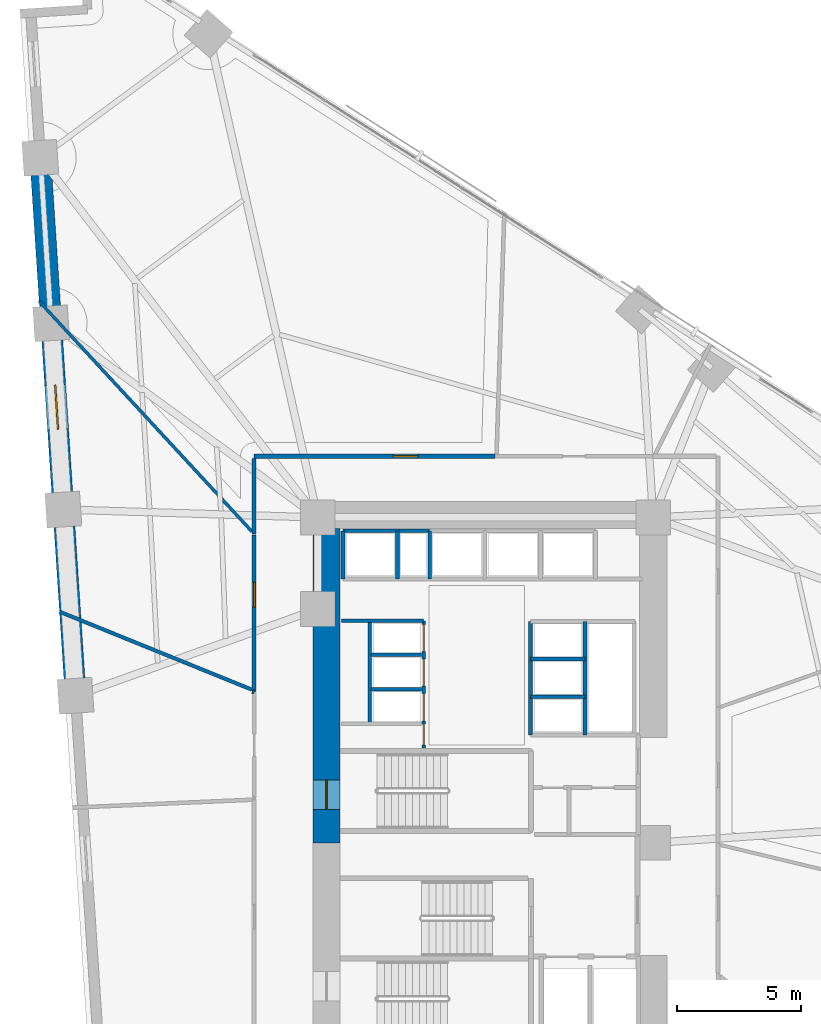
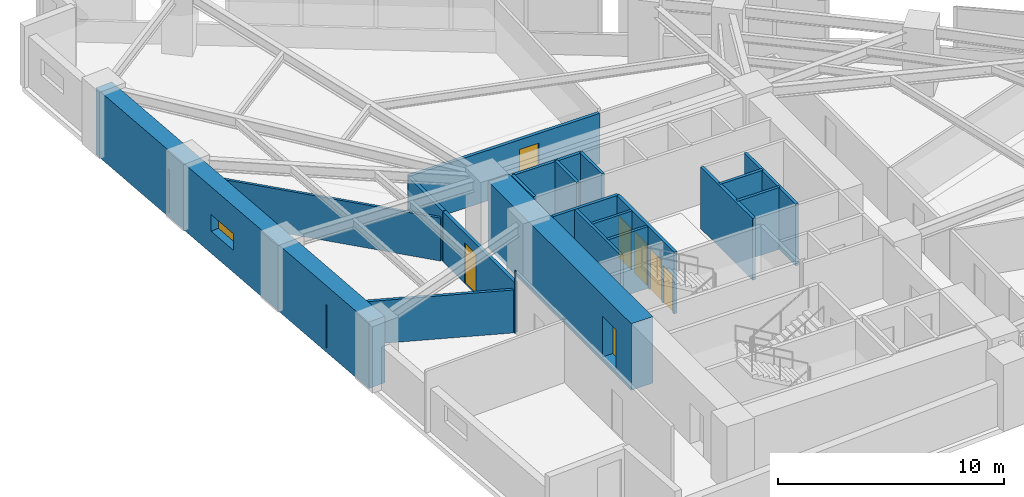
# One storey, part 13 of 16: 21 walls, 7 doors, 1 window, 8 openings.
"""IFC4 building model written with IfcOpenShell, lengths in metres."""

from ifc_helpers import new_model, si_unit, direction, frame, frame_2d, origin, place, context, subcontext, project, spatial, rectangle, extrude, material, layer, layer_set, type_object, element, fill, save


model = new_model("IFC4")

# Units and contexts
model_context = context("Model", 3, precision=1e-05, world=origin(), true_north=direction((0.0, 1.0)))
body_context = subcontext(model_context, "Body", "Model", "MODEL_VIEW")
ifc_project = project(units=[si_unit("LENGTHUNIT", "METRE"), si_unit("AREAUNIT", "SQUARE_METRE"), si_unit("VOLUMEUNIT", "CUBIC_METRE"), si_unit("PLANEANGLEUNIT", "RADIAN"), si_unit("MASSUNIT", "GRAM", prefix="KILO")], contexts=[model_context])

# Site, building, storey
site_placement = place(None, origin())
site = spatial("IfcSite", under=ifc_project, at=site_placement, CompositionType="ELEMENT")
building_placement = place(site_placement, origin())
building = spatial("IfcBuilding", under=site, at=building_placement, Name="Narakoshi Arena Tower", CompositionType="ELEMENT")
storey_placement = place(building_placement, frame((0.0, 0.0, 84.89990234375)))
storey = spatial("IfcBuildingStorey", under=building, at=storey_placement, Name="L22", CompositionType="ELEMENT", Elevation=84.89990234375)

# Wall, opening, door
ifc_material_1 = material(Name="Concrete C60/75", Category="concrete")
ifc_layer_1 = layer(ifc_material_1, 1.10009765625)
ifc_layer_set_1 = layer_set([ifc_layer_1], Name="Concrete C60/75")
wall_type_1 = type_object("IfcWallType", Name="WL-CORE-1100", PredefinedType="SHEAR", material=ifc_layer_set_1)
wall_1_placement = place(storey_placement, frame((72.35009765625, 43.35009765625, -0.260009765625), z_axis=(0.0, 0.0, 1.0), x_axis=(0.0, 1.0, 0.0)))
wall_1 = element("IfcWall", 1, at=wall_1_placement, inside=storey, type_object=wall_type_1, Name="L22 Main Core Shear Wall CW-MN-W", PredefinedType="SHEAR", context=body_context, shape_type="SweptSolid", body=[
    extrude(rectangle(XDim=12.699951171875, YDim=1.10009765625, at=frame_2d((6.35009765625, 0.0))), origin(), (0.0, 0.0, 1.0), 3.60009765625),
])
opening_1_placement = place(wall_1_placement, frame((1.35009765625, 0.0, 0.260009765625)))
opening_1 = element("IfcOpeningElement", 2, at=opening_1_placement, cuts=wall_1, Name="Opening D-03", PredefinedType="OPENING", context=body_context, shape_type="SweptSolid", body=[
    extrude(rectangle(XDim=1.199951171875, YDim=2.199951171875, at=frame_2d((0.60009765625, 1.10009765625))), frame((0.0, 0.56005859375, 0.0), z_axis=(0.0, -1.0, 0.0), x_axis=(1.0, 0.0, 0.0)), (0.0, 0.0, 1.0), 1.1201171875),
])
ifc_material_2 = material(Name="Painted galvanized steel", Category="steel")
door_type_1 = type_object("IfcDoorType", Name="DR-STR-1200", OperationType="NOTDEFINED", PredefinedType="USERDEFINED", material=ifc_material_2)
door_1_placement = place(opening_1_placement, frame((1.199951171875, 0.0, 0.0), z_axis=(0.0, 0.0, 1.0), x_axis=(-1.0, 0.0, 0.0)))
door_1 = element("IfcDoor", 3, at=door_1_placement, inside=storey, type_object=door_type_1, Name="DR-L22-006", ObjectType="EXITDOOR", OperationType="SINGLE_SWING_LEFT", OverallHeight=2.199951171875, OverallWidth=1.199951171875, PredefinedType="USERDEFINED", context=body_context, shape_type="SweptSolid", body=[
    extrude(rectangle(XDim=1.199951171875, YDim=2.199951171875, at=frame_2d((0.60009765625, 1.10009765625))), frame((0.0, 0.02490234375, 0.0), z_axis=(0.0, -1.0, 0.0), x_axis=(1.0, 0.0, 0.0)), (0.0, 0.0, 1.0), 0.050048828125),
])
fill(opening_1, door_1)

ifc_material_3 = material(Name="Gypsum plasterboard fire-rated partition")
ifc_layer_2 = layer(ifc_material_3, 0.1650390625)
ifc_layer_set_2 = layer_set([ifc_layer_2], Name="Gypsum plasterboard fire-rated partition")
wall_type_2 = type_object("IfcWallType", Name="WL-CORR-165", PredefinedType="PARTITIONING", material=ifc_layer_set_2)
wall_2_placement = place(storey_placement, frame((79.160400390625, 58.972412109375, 0.0), z_axis=(0.0, 0.0, 1.0), x_axis=(-1.0, 0.0, 0.0)))
wall_2 = element("IfcWall", 4, at=wall_2_placement, inside=storey, type_object=wall_type_2, Name="L22 Corridor Partition 07-1", PredefinedType="PARTITIONING", context=body_context, shape_type="SweptSolid", body=[
    extrude(rectangle(XDim=9.73291015625, YDim=0.1650390625, at=frame_2d((4.866455078125, 0.0))), origin(), (0.0, 0.0, 1.0), 2.72509765625),
])
opening_2_placement = place(wall_2_placement, frame((3.11669921875, 0.0, 0.0)))
opening_2 = element("IfcOpeningElement", 5, at=opening_2_placement, cuts=wall_2, Name="Opening D-06", PredefinedType="OPENING", context=body_context, shape_type="SweptSolid", body=[
    extrude(rectangle(XDim=1.0, YDim=2.199951171875, at=frame_2d((0.5, 1.10009765625))), frame((0.0, 0.092529296875, 0.0), z_axis=(0.0, -1.0, 0.0), x_axis=(1.0, 0.0, 0.0)), (0.0, 0.0, 1.0), 0.18505859375),
])
ifc_material_4 = material(Name="Stained oak solid-core timber", Category="wood")
door_type_2 = type_object("IfcDoorType", Name="DR-OFF-1000", OperationType="NOTDEFINED", PredefinedType="DOOR", material=ifc_material_4)
door_2_placement = place(opening_2_placement, frame((1.0, 0.0, 0.0), z_axis=(0.0, 0.0, 1.0), x_axis=(-1.0, 0.0, 0.0)))
door_2 = element("IfcDoor", 6, at=door_2_placement, inside=storey, type_object=door_type_2, Name="DR-L22-020", OperationType="SINGLE_SWING_RIGHT", OverallHeight=2.199951171875, OverallWidth=1.0, PredefinedType="DOOR", context=body_context, shape_type="SweptSolid", body=[
    extrude(rectangle(XDim=1.0, YDim=2.199951171875, at=frame_2d((0.5, 1.10009765625))), frame((0.0, 0.02490234375, 0.0), z_axis=(0.0, -1.0, 0.0), x_axis=(1.0, 0.0, 0.0)), (0.0, 0.0, 1.0), 0.050048828125),
])
fill(opening_2, door_2)

# Wall
wall_3_placement = place(storey_placement, frame((69.427490234375, 58.8779296875, 0.0), z_axis=(0.0, 0.0, 1.0), x_axis=(0.0, -1.0, 0.0)))
element("IfcWall", 7, at=wall_3_placement, inside=storey, type_object=wall_type_2, Name="L22 Corridor Partition 07-2", PredefinedType="PARTITIONING", context=body_context, shape_type="SweptSolid", body=[
    extrude(rectangle(XDim=3.043212890625, YDim=0.1650390625, at=frame_2d((1.521484375, 0.0))), origin(), (0.0, 0.0, 1.0), 2.72509765625),
])

# Wall, opening, door
wall_4_placement = place(storey_placement, frame((69.427490234375, 55.799072265625, 0.0), z_axis=(0.0, 0.0, 1.0), x_axis=(0.0, -1.0, 0.0)))
wall_4 = element("IfcWall", 8, at=wall_4_placement, inside=storey, type_object=wall_type_2, Name="L22 Corridor Partition 08-1", PredefinedType="PARTITIONING", context=body_context, shape_type="SweptSolid", body=[
    extrude(rectangle(XDim=6.33447265625, YDim=0.1650390625, at=frame_2d((3.167236328125, 0.0))), origin(), (0.0, 0.0, 1.0), 2.72509765625),
])
opening_3_placement = place(wall_4_placement, frame((1.927001953125, 0.0, 0.0)))
opening_3 = element("IfcOpeningElement", 9, at=opening_3_placement, cuts=wall_4, Name="Opening D-06", PredefinedType="OPENING", context=body_context, shape_type="SweptSolid", body=[
    extrude(rectangle(XDim=1.0, YDim=2.199951171875, at=frame_2d((0.5, 1.10009765625))), frame((0.0, 0.092529296875, 0.0), z_axis=(0.0, -1.0, 0.0), x_axis=(1.0, 0.0, 0.0)), (0.0, 0.0, 1.0), 0.18505859375),
])
door_3_placement = place(opening_3_placement, frame((1.0, 0.0, 0.0), z_axis=(0.0, 0.0, 1.0), x_axis=(-1.0, 0.0, 0.0)))
door_3 = element("IfcDoor", 10, at=door_3_placement, inside=storey, type_object=door_type_2, Name="DR-L22-021", OperationType="SINGLE_SWING_LEFT", OverallHeight=2.199951171875, OverallWidth=1.0, PredefinedType="DOOR", context=body_context, shape_type="SweptSolid", body=[
    extrude(rectangle(XDim=1.0, YDim=2.199951171875, at=frame_2d((0.5, 1.10009765625))), frame((0.0, 0.02490234375, 0.0), z_axis=(0.0, -1.0, 0.0), x_axis=(1.0, 0.0, 0.0)), (0.0, 0.0, 1.0), 0.050048828125),
])
fill(opening_3, door_3)

# Wall, opening, window
ifc_layer_3 = layer(ifc_material_1, 0.85009765625)
ifc_layer_set_3 = layer_set([ifc_layer_3], Name="Concrete C60/75")
wall_type_3 = type_object("IfcWallType", Name="WL-LEG-850", PredefinedType="SHEAR", material=ifc_layer_set_3)
wall_5_placement = place(storey_placement, frame((60.785400390625, 71.031005859375, -0.260009765625), z_axis=(0.0, 0.0, 1.0), x_axis=(0.065409824833, -0.997858484363, 0.0)))
wall_5 = element("IfcWall", 11, at=wall_5_placement, inside=storey, type_object=wall_type_3, Name="L22 Architectural Concrete Structural Wall LEGB-2", PredefinedType="SHEAR", context=body_context, shape_type="SweptSolid", body=[
    extrude(rectangle(XDim=21.78271484375, YDim=0.85009765625, at=frame_2d((10.891357421875, 0.0))), origin(), (0.0, 0.0, 1.0), 3.60009765625),
])
opening_4_placement = place(wall_5_placement, frame((9.199951171875, 0.0, 1.199951171875)))
opening_4 = element("IfcOpeningElement", 12, at=opening_4_placement, cuts=wall_5, Name="Opening WN-02", PredefinedType="OPENING", context=body_context, shape_type="SweptSolid", body=[
    extrude(rectangle(XDim=1.800048828125, YDim=0.89990234375, at=frame_2d((0.89990234375, 0.449951171875))), frame((0.0, 0.43505859375, 0.0), z_axis=(0.0, -1.0, 0.0), x_axis=(1.0, 0.0, 0.0)), (0.0, 0.0, 1.0), 0.8701171875),
])
ifc_material_5 = material(Name="Bronze-tinted low-E laminated glass", Category="glass")
window_type = type_object("IfcWindowType", Name="WIN-SLT-18x09", PartitioningType="SINGLE_PANEL", PredefinedType="WINDOW", material=ifc_material_5)
window_placement = place(opening_4_placement, origin())
window = element("IfcWindow", 13, at=window_placement, inside=storey, type_object=window_type, Name="L22 LEGB2 Horizontal Slot Window 1", OverallHeight=0.89990234375, OverallWidth=1.800048828125, PartitioningType="SINGLE_PANEL", PredefinedType="WINDOW", context=body_context, shape_type="SweptSolid", body=[
    extrude(rectangle(XDim=1.800048828125, YDim=0.89990234375, at=frame_2d((0.89990234375, 0.449951171875))), frame((0.0, 0.030029296875, 0.0), z_axis=(0.0, -1.0, 0.0), x_axis=(1.0, 0.0, 0.0)), (0.0, 0.0, 1.0), 0.06005859375),
])
fill(opening_4, window)

# Walls
ifc_layer_4 = layer(ifc_material_3, 0.125)
ifc_layer_set_4 = layer_set([ifc_layer_4], Name="Gypsum plasterboard fire-rated partition")
wall_type_4 = type_object("IfcWallType", Name="WL-PART-125", PredefinedType="PARTITIONING", material=ifc_layer_set_4)
wall_6_placement = place(storey_placement, frame((69.3330078125, 55.936767578125, 0.0), z_axis=(0.0, 0.0, 1.0), x_axis=(-0.678801357596, 0.73432194365, 0.0)))
element("IfcWall", 14, at=wall_6_placement, inside=storey, type_object=wall_type_4, Name="L22 Inter-Room Partition 07-08", PredefinedType="PARTITIONING", context=body_context, shape_type="SweptSolid", body=[
    extrude(rectangle(XDim=12.659912109375, YDim=0.125, at=frame_2d((6.330078125, 0.0))), origin(), (0.0, 0.0, 1.0), 2.3251953125),
])
ifc_material_6 = material(Name="Concrete C40/50", Category="concrete")
ifc_layer_5 = layer(ifc_material_6, 0.280029296875)
ifc_layer_set_5 = layer_set([ifc_layer_5], Name="Concrete C40/50")
wall_type_5 = type_object("IfcWallType", Name="WL-RISER-280", PredefinedType="PLUMBINGWALL", material=ifc_layer_set_5)
for number, where, z_axis, x_axis, name in (
    (15, (74.14990234375, 49.550048828125, 0.0), (0.0, 0.0, 1.0), (1.0, 0.0, 0.0), "L22 Core Wall LR-D1"),
    (16, (74.14990234375, 50.949951171875, 0.0), (0.0, 0.0, 1.0), (1.0, 0.0, 0.0), "L22 Core Wall LR-D2"),
):
    element("IfcWall", number, at=place(storey_placement, frame(where, z_axis=z_axis, x_axis=x_axis)), inside=storey, type_object=wall_type_5, Name=name, PredefinedType="PLUMBINGWALL", context=body_context, shape_type="SweptSolid", body=[
        extrude(rectangle(XDim=2.0400390625, YDim=0.139892578125, at=frame_2d((1.02001953125, 0.0))), origin(), (0.0, 0.0, 1.0), 3.340087890625),
    ])
wall_7_placement = place(storey_placement, frame((74.10009765625, 48.159912109375, 0.0), z_axis=(0.0, 0.0, 1.0), x_axis=(0.0, 1.0, 0.0)))
element("IfcWall", 17, at=wall_7_placement, inside=storey, type_object=wall_type_5, Name="L22 Core Wall LR-W", PredefinedType="PLUMBINGWALL", context=body_context, shape_type="SweptSolid", body=[
    extrude(rectangle(XDim=4.16015625, YDim=0.139892578125, at=frame_2d((2.080078125, 0.0))), origin(), (0.0, 0.0, 1.0), 3.340087890625),
])
for number, where, z_axis, x_axis, name in (
    (18, (80.60009765625, 49.260009765625, 0.0), (0.0, 0.0, 1.0), (1.0, 0.0, 0.0), "L22 Core Wall MR-D1"),
    (19, (80.60009765625, 50.780029296875, 0.0), (0.0, 0.0, 1.0), (1.0, 0.0, 0.0), "L22 Core Wall MR-D2"),
):
    element("IfcWall", number, at=place(storey_placement, frame(where, z_axis=z_axis, x_axis=x_axis)), inside=storey, type_object=wall_type_5, Name=name, PredefinedType="PLUMBINGWALL", context=body_context, shape_type="SweptSolid", body=[
        extrude(rectangle(XDim=2.199951171875, YDim=0.14990234375, at=frame_2d((1.10009765625, 0.0))), origin(), (0.0, 0.0, 1.0), 3.340087890625),
    ])
wall_8_placement = place(storey_placement, frame((82.800048828125, 47.699951171875, 0.0), z_axis=(0.0, 0.0, 1.0), x_axis=(0.0, 1.0, 0.0)))
element("IfcWall", 20, at=wall_8_placement, inside=storey, type_object=wall_type_5, Name="L22 Core Wall MR-E", PredefinedType="PLUMBINGWALL", context=body_context, shape_type="SweptSolid", body=[
    extrude(rectangle(XDim=4.60009765625, YDim=0.14990234375, at=frame_2d((2.300048828125, 0.0))), origin(), (0.0, 0.0, 1.0), 3.340087890625),
])
for number, where, z_axis, x_axis, name in (
    (21, (73.02001953125, 54.02001953125, 0.0), (0.0, 0.0, 1.0), (0.0, 1.0, 0.0), "L22 Core Wall OBS-W"),
    (22, (75.219970703125, 54.02001953125, 0.0), (0.0, 0.0, 1.0), (0.0, 1.0, 0.0), "L22 Core Wall OBS-M"),
):
    element("IfcWall", number, at=place(storey_placement, frame(where, z_axis=z_axis, x_axis=x_axis)), inside=storey, type_object=wall_type_5, Name=name, PredefinedType="PLUMBINGWALL", context=body_context, shape_type="SweptSolid", body=[
        extrude(rectangle(XDim=1.93994140625, YDim=0.14990234375, at=frame_2d((0.969970703125, 0.0))), origin(), (0.0, 0.0, 1.0), 3.340087890625),
    ])

# Wall, openings, doors
ifc_material_7 = material(Name="Concrete C50/60", Category="concrete")
ifc_layer_6 = layer(ifc_material_7, 0.35009765625)
ifc_layer_set_6 = layer_set([ifc_layer_6], Name="Concrete C50/60")
wall_type_6 = type_object("IfcWallType", Name="WL-SHAFT-350", PredefinedType="SOLIDWALL", material=ifc_layer_set_6)
wall_9_placement = place(storey_placement, frame((76.280029296875, 47.179931640625, 0.0), z_axis=(0.0, 0.0, 1.0), x_axis=(0.0, 1.0, 0.0)))
wall_9 = element("IfcWall", 23, at=wall_9_placement, inside=storey, type_object=wall_type_6, Name="L22 Core Wall LR-E", PredefinedType="SOLIDWALL", context=body_context, shape_type="SweptSolid", body=[
    extrude(rectangle(XDim=5.14013671875, YDim=0.159912109375, at=frame_2d((2.570068359375, 0.0))), origin(), (0.0, 0.0, 1.0), 3.340087890625),
])
opening_5_placement = place(wall_9_placement, frame((1.10009765625, 0.0, 0.0)))
opening_5 = element("IfcOpeningElement", 24, at=opening_5_placement, cuts=wall_9, Name="Opening LD-01", PredefinedType="OPENING", context=body_context, shape_type="SweptSolid", body=[
    extrude(rectangle(XDim=1.10009765625, YDim=2.25, at=frame_2d((0.550048828125, 1.125))), frame((0.0, 0.08984375, 0.0), z_axis=(0.0, -1.0, 0.0), x_axis=(1.0, 0.0, 0.0)), (0.0, 0.0, 1.0), 0.179931640625),
])
opening_6_placement = place(wall_9_placement, frame((2.5, 0.0, 0.0)))
opening_6 = element("IfcOpeningElement", 25, at=opening_6_placement, cuts=wall_9, Name="Opening LD-01", PredefinedType="OPENING", context=body_context, shape_type="SweptSolid", body=[
    extrude(rectangle(XDim=1.10009765625, YDim=2.25, at=frame_2d((0.550048828125, 1.125))), frame((0.0, 0.08984375, 0.0), z_axis=(0.0, -1.0, 0.0), x_axis=(1.0, 0.0, 0.0)), (0.0, 0.0, 1.0), 0.179931640625),
])
opening_7_placement = place(wall_9_placement, frame((3.89990234375, 0.0, 0.0)))
opening_7 = element("IfcOpeningElement", 26, at=opening_7_placement, cuts=wall_9, Name="Opening LD-01", PredefinedType="OPENING", context=body_context, shape_type="SweptSolid", body=[
    extrude(rectangle(XDim=1.10009765625, YDim=2.25, at=frame_2d((0.550048828125, 1.125))), frame((0.0, 0.08984375, 0.0), z_axis=(0.0, -1.0, 0.0), x_axis=(1.0, 0.0, 0.0)), (0.0, 0.0, 1.0), 0.179931640625),
])
opening_8_placement = place(wall_9_placement, frame((0.1201171875, 0.0, 0.0)))
opening_8 = element("IfcOpeningElement", 27, at=opening_8_placement, cuts=wall_9, Name="Opening D-10", PredefinedType="OPENING", context=body_context, shape_type="SweptSolid", body=[
    extrude(rectangle(XDim=0.85009765625, YDim=2.050048828125, at=frame_2d((0.425048828125, 1.02490234375))), frame((0.0, 0.08984375, 0.0), z_axis=(0.0, -1.0, 0.0), x_axis=(1.0, 0.0, 0.0)), (0.0, 0.0, 1.0), 0.179931640625),
])
ifc_material_8 = material(Name="Brushed bronze stainless steel", Category="steel")
door_type_3 = type_object("IfcDoorType", Name="DR-LFT-1100", OperationType="DOUBLE_DOOR_SLIDING", PredefinedType="DOOR", material=ifc_material_8)
door_4_placement = place(opening_5_placement, origin())
door_4 = element("IfcDoor", 28, at=door_4_placement, inside=storey, type_object=door_type_3, Name="DR-L22-010", OperationType="DOUBLE_DOOR_SLIDING", OverallHeight=2.25, OverallWidth=1.10009765625, PredefinedType="DOOR", context=body_context, shape_type="SweptSolid", body=[
    extrude(rectangle(XDim=1.10009765625, YDim=2.25, at=frame_2d((0.550048828125, 1.125))), frame((0.0, 0.02490234375, 0.0), z_axis=(0.0, -1.0, 0.0), x_axis=(1.0, 0.0, 0.0)), (0.0, 0.0, 1.0), 0.050048828125),
])
fill(opening_5, door_4)
door_5_placement = place(opening_6_placement, origin())
door_5 = element("IfcDoor", 29, at=door_5_placement, inside=storey, type_object=door_type_3, Name="DR-L22-011", OperationType="DOUBLE_DOOR_SLIDING", OverallHeight=2.25, OverallWidth=1.10009765625, PredefinedType="DOOR", context=body_context, shape_type="SweptSolid", body=[
    extrude(rectangle(XDim=1.10009765625, YDim=2.25, at=frame_2d((0.550048828125, 1.125))), frame((0.0, 0.02490234375, 0.0), z_axis=(0.0, -1.0, 0.0), x_axis=(1.0, 0.0, 0.0)), (0.0, 0.0, 1.0), 0.050048828125),
])
fill(opening_6, door_5)
door_6_placement = place(opening_7_placement, origin())
door_6 = element("IfcDoor", 30, at=door_6_placement, inside=storey, type_object=door_type_3, Name="DR-L22-012", OperationType="DOUBLE_DOOR_SLIDING", OverallHeight=2.25, OverallWidth=1.10009765625, PredefinedType="DOOR", context=body_context, shape_type="SweptSolid", body=[
    extrude(rectangle(XDim=1.10009765625, YDim=2.25, at=frame_2d((0.550048828125, 1.125))), frame((0.0, 0.02490234375, 0.0), z_axis=(0.0, -1.0, 0.0), x_axis=(1.0, 0.0, 0.0)), (0.0, 0.0, 1.0), 0.050048828125),
])
fill(opening_7, door_6)
door_type_4 = type_object("IfcDoorType", Name="DR-RSR-850", OperationType="NOTDEFINED", PredefinedType="DOOR", material=ifc_material_2)
door_7_placement = place(opening_8_placement, frame((0.85009765625, 0.0, 0.0), z_axis=(0.0, 0.0, 1.0), x_axis=(-1.0, 0.0, 0.0)))
door_7 = element("IfcDoor", 31, at=door_7_placement, inside=storey, type_object=door_type_4, Name="DR-L22-013", OperationType="SINGLE_SWING_LEFT", OverallHeight=2.050048828125, OverallWidth=0.85009765625, PredefinedType="DOOR", context=body_context, shape_type="SweptSolid", body=[
    extrude(rectangle(XDim=0.85009765625, YDim=2.050048828125, at=frame_2d((0.425048828125, 1.02490234375))), frame((0.0, 0.02490234375, 0.0), z_axis=(0.0, -1.0, 0.0), x_axis=(1.0, 0.0, 0.0)), (0.0, 0.0, 1.0), 0.050048828125),
])
fill(opening_8, door_7)

# Walls
wall_10_placement = place(storey_placement, frame((72.949951171875, 52.320068359375, 0.0), z_axis=(0.0, 0.0, 1.0), x_axis=(1.0, 0.0, 0.0)))
element("IfcWall", 32, at=wall_10_placement, inside=storey, type_object=wall_type_6, Name="L22 Core Wall LR-N", PredefinedType="SOLIDWALL", context=body_context, shape_type="SweptSolid", body=[
    extrude(rectangle(XDim=3.330078125, YDim=0.14990234375, at=frame_2d((1.6650390625, 0.0))), origin(), (0.0, 0.0, 1.0), 3.340087890625),
])
wall_11_placement = place(storey_placement, frame((80.60009765625, 47.699951171875, 0.0), z_axis=(0.0, 0.0, 1.0), x_axis=(0.0, 1.0, 0.0)))
element("IfcWall", 33, at=wall_11_placement, inside=storey, type_object=wall_type_6, Name="L22 Core Wall MR-W", PredefinedType="SOLIDWALL", context=body_context, shape_type="SweptSolid", body=[
    extrude(rectangle(XDim=4.60009765625, YDim=0.159912109375, at=frame_2d((2.300048828125, 0.0))), origin(), (0.0, 0.0, 1.0), 3.340087890625),
])
wall_12_placement = place(storey_placement, frame((73.02001953125, 55.9599609375, 0.0), z_axis=(0.0, 0.0, 1.0), x_axis=(1.0, 0.0, 0.0)))
element("IfcWall", 34, at=wall_12_placement, inside=storey, type_object=wall_type_6, Name="L22 Core Wall OBS-N", PredefinedType="SOLIDWALL", context=body_context, shape_type="SweptSolid", body=[
    extrude(rectangle(XDim=3.5, YDim=0.14990234375, at=frame_2d((1.75, 0.0))), origin(), (0.0, 0.0, 1.0), 3.340087890625),
])
wall_13_placement = place(storey_placement, frame((76.52001953125, 54.02001953125, 0.0), z_axis=(0.0, 0.0, 1.0), x_axis=(0.0, 1.0, 0.0)))
element("IfcWall", 35, at=wall_13_placement, inside=storey, type_object=wall_type_6, Name="L22 Core Wall OBS-E", PredefinedType="SOLIDWALL", context=body_context, shape_type="SweptSolid", body=[
    extrude(rectangle(XDim=1.93994140625, YDim=0.14990234375, at=frame_2d((0.969970703125, 0.0))), origin(), (0.0, 0.0, 1.0), 3.340087890625),
])
ifc_material_9 = material(Name="Moisture-resistant cement-board partition")
ifc_layer_7 = layer(ifc_material_9, 0.14501953125)
ifc_layer_set_7 = layer_set([ifc_layer_7], Name="Moisture-resistant cement-board partition")
wall_type_7 = type_object("IfcWallType", Name="WL-WET-145", PredefinedType="PARTITIONING", material=ifc_layer_set_7)
wall_14_placement = place(storey_placement, frame((69.3330078125, 49.5419921875, 0.0), z_axis=(0.0, 0.0, 1.0), x_axis=(-0.926778441971, 0.375608465691, 0.0)))
element("IfcWall", 36, at=wall_14_placement, inside=storey, type_object=wall_type_7, Name="L22 Inter-Room Partition 08-09", PredefinedType="PARTITIONING", context=body_context, shape_type="SweptSolid", body=[
    extrude(rectangle(XDim=8.385498046875, YDim=0.14501953125, at=frame_2d((4.19287109375, 0.0))), origin(), (0.0, 0.0, 1.0), 2.3251953125),
])
wall_15_placement = place(storey_placement, frame((69.367431640625, 49.46337890625, 0.0), z_axis=(0.0, 0.0, 1.0), x_axis=(0.92506700906, -0.379803934614, 0.0)))
element("IfcWall", 37, at=wall_15_placement, inside=storey, type_object=wall_type_7, Name="L22 Corridor Partition 09-2", PredefinedType="PARTITIONING", context=body_context, shape_type="SweptSolid", body=[
    extrude(rectangle(XDim=0.06494140625, YDim=0.14501953125, at=frame_2d((0.032470703125, 0.0))), origin(), (0.0, 0.0, 1.0), 3.340087890625),
])

save(model, "model.ifc")
